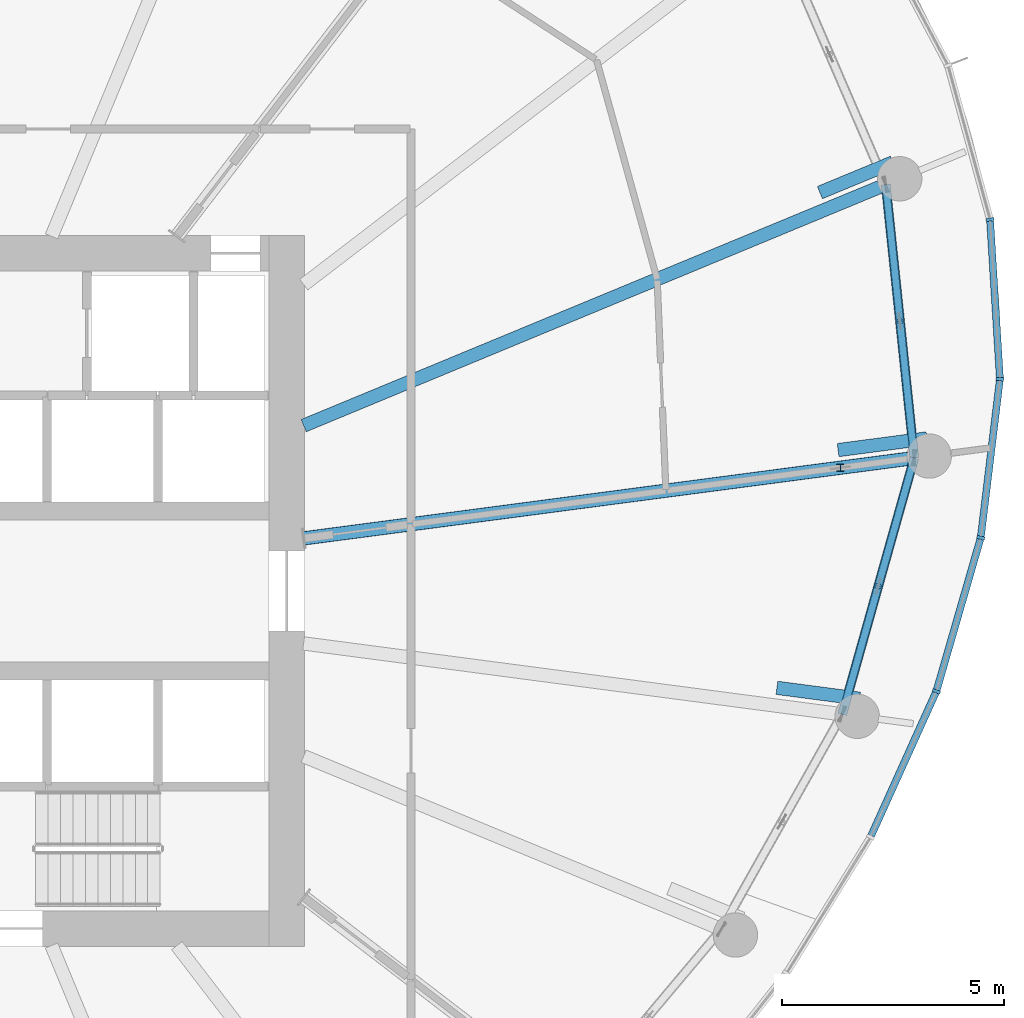
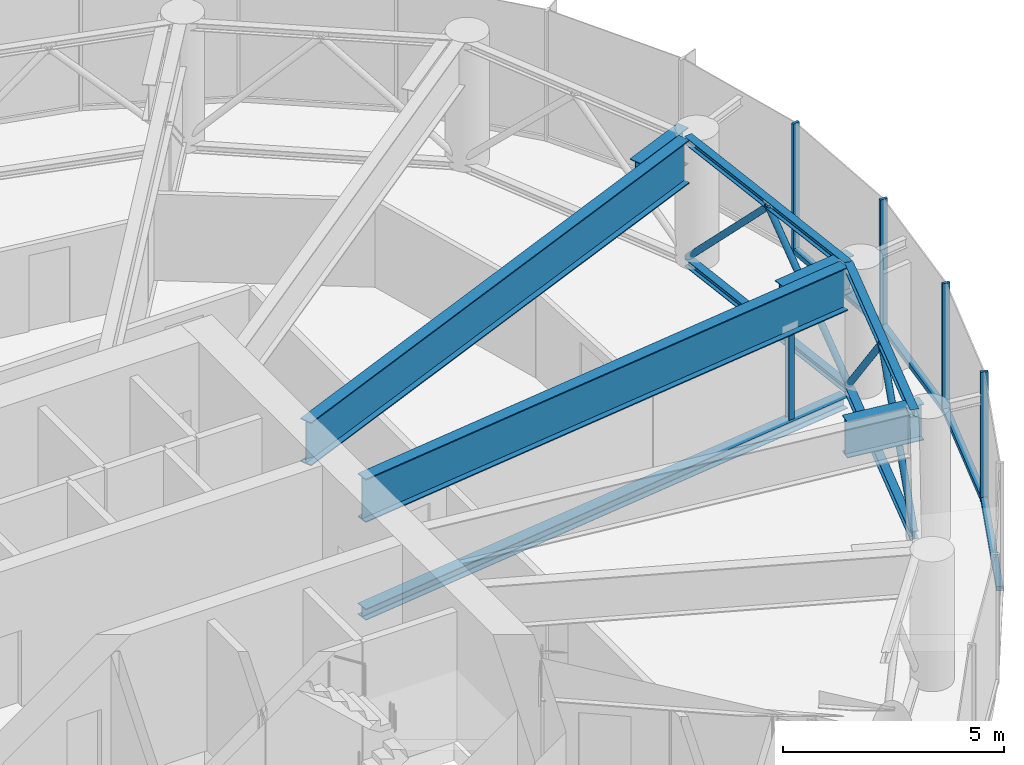
# One storey, part 7 of 25: 18 members, 5 beams, 2 elements without a shape of their own.
"""IFC4 building model written with IfcOpenShell, lengths in metres."""

from ifc_helpers import new_model, si_unit, direction, frame, origin, origin_2d, place, context, subcontext, project, spatial, rectangle, hollow_circle, i_section, extrude, source, transform, mapped, material, layer, layer_set, material_profile, profile_set, type_object, element, aggregate, save


model = new_model("IFC4")

# Units and contexts
model_context = context("Model", 3, precision=1e-05, world=origin(), true_north=direction((0.0, 1.0)))
body_context = subcontext(model_context, "Body", "Model", "MODEL_VIEW")
ifc_project = project(units=[si_unit("LENGTHUNIT", "METRE"), si_unit("AREAUNIT", "SQUARE_METRE"), si_unit("VOLUMEUNIT", "CUBIC_METRE"), si_unit("PLANEANGLEUNIT", "RADIAN"), si_unit("MASSUNIT", "GRAM", prefix="KILO")], contexts=[model_context])

# Site, building, storey
site_placement = place(None, origin())
site = spatial("IfcSite", under=ifc_project, at=site_placement, CompositionType="ELEMENT")
building_placement = place(site_placement, origin())
building = spatial("IfcBuilding", under=site, at=building_placement, Name="Spindrift Exchange Tower", CompositionType="ELEMENT")
storey_placement = place(building_placement, frame((0.0, 0.0, 179.89990234375)))
storey = spatial("IfcBuildingStorey", under=building, at=storey_placement, Name="L43", CompositionType="ELEMENT", Elevation=179.89990234375)

# Beams
ifc_material_1 = material(Name="Steel Grade 300", Category="steel")
ifc_material_profile_1 = material_profile(ifc_material_1, i_section(OverallWidth=0.300048828125, OverallDepth=1.199951171875, WebThickness=0.011962890625, FlangeThickness=0.028076171875, at=origin_2d()), Name="1200WB249")
ifc_profile_set_1 = profile_set([ifc_material_profile_1], Name="Steel Grade 300")
beam_type_1 = type_object("IfcBeamType", Name="Transfer Girder 1200WB249 Steel Grade 300", PredefinedType="BEAM", material=ifc_profile_set_1)
shared_shape_1 = source(origin(), body_context, "Body", "SweptSolid", [
    extrude(i_section(OverallWidth=0.300048828125, OverallDepth=1.199951171875, WebThickness=0.011962890625, FlangeThickness=0.028076171875, at=origin_2d()), origin(), (0.0, 0.0, 1.0), 14.04052734375),
])
beam_1_placement = place(storey_placement, frame((60.9814453125, 51.72021484375, 2.97998046875), z_axis=(0.923879501748, 0.382683506634, 0.0), x_axis=(-0.382683506634, 0.923879501748, 0.0)))
element("IfcBeam", 1, at=beam_1_placement, inside=storey, type_object=beam_type_1, Name="L43 radial beam R02A", PredefinedType="BEAM", context=body_context, shape_type="MappedRepresentation", body=[
    mapped(shared_shape_1, transform((0.0, 0.0, 0.0), scale=1.0)),
])
ifc_material_profile_2 = material_profile(ifc_material_1, i_section(OverallWidth=0.300048828125, OverallDepth=1.199951171875, WebThickness=0.011962890625, FlangeThickness=0.028076171875, at=origin_2d()), Name="1200WB249")
ifc_profile_set_2 = profile_set([ifc_material_profile_2], Name="Steel Grade 300")
beam_type_2 = type_object("IfcBeamType", Name="Outrigger Truss Transfer Girder 1200WB249 Steel Grade 300", PredefinedType="BEAM", material=ifc_profile_set_2)
shared_shape_2 = source(origin(), body_context, "Body", "SweptSolid", [
    extrude(i_section(OverallWidth=0.300048828125, OverallDepth=1.199951171875, WebThickness=0.011962890625, FlangeThickness=0.028076171875, at=origin_2d()), origin(), (0.0, 0.0, 1.0), 13.723388671875),
])
beam_2_placement = place(storey_placement, frame((60.980224609375, 49.182373046875, 2.97998046875), z_axis=(0.991447148915, 0.13050881544, 0.0), x_axis=(-0.13050881544, 0.991447148915, 0.0)))
element("IfcBeam", 2, at=beam_2_placement, inside=storey, type_object=beam_type_2, Name="L43 outrigger truss 01 top chord 1", PredefinedType="BEAM", context=body_context, shape_type="MappedRepresentation", body=[
    mapped(shared_shape_2, transform((0.0, 0.0, 0.0), scale=1.0)),
])

# Members
ifc_material_profile_3 = material_profile(ifc_material_1, i_section(OverallWidth=0.306884765625, OverallDepth=0.31396484375, WebThickness=0.011962890625, FlangeThickness=0.018798828125, FilletRadius=0.0166015625, at=origin_2d()), Name="310UC118")
ifc_profile_set_3 = profile_set([ifc_material_profile_3], Name="Steel Grade 300")
member_type_1 = type_object("IfcMemberType", Name="Outrigger Truss Chord 310UC118 Steel Grade 300", PredefinedType="CHORD", material=ifc_profile_set_3)
shared_shape_3 = source(origin(), body_context, "Body", "SweptSolid", [
    extrude(i_section(OverallWidth=0.306884765625, OverallDepth=0.31396484375, WebThickness=0.011962890625, FlangeThickness=0.018798828125, FilletRadius=0.0166015625, at=origin_2d()), origin(), (0.0, 0.0, 1.0), 13.723388671875),
])
member_1_placement = place(storey_placement, frame((60.980224609375, 49.182373046875, -0.156982421875), z_axis=(0.991447148915, 0.13050881544, 0.0), x_axis=(-0.13050881544, 0.991447148915, 0.0)))
element("IfcMember", 3, at=member_1_placement, inside=storey, type_object=member_type_1, Name="L43 outrigger truss 01 bottom chord 1", PredefinedType="CHORD", context=body_context, shape_type="MappedRepresentation", body=[
    mapped(shared_shape_3, transform((0.0, 0.0, 0.0), scale=1.0)),
])
ifc_material_profile_4 = material_profile(ifc_material_1, i_section(OverallWidth=0.154052734375, OverallDepth=0.162109375, WebThickness=0.008056640625, FlangeThickness=0.011474609375, FilletRadius=0.008056640625, at=origin_2d()), Name="150UC37.2")
ifc_profile_set_4 = profile_set([ifc_material_profile_4], Name="Steel Grade 300")
member_type_2 = type_object("IfcMemberType", Name="Outrigger Truss Post 150UC37.2 Steel Grade 300", PredefinedType="POST", material=ifc_profile_set_4)
shared_shape_4 = source(origin(), body_context, "Body", "SweptSolid", [
    extrude(i_section(OverallWidth=0.154052734375, OverallDepth=0.162109375, WebThickness=0.008056640625, FlangeThickness=0.011474609375, FilletRadius=0.008056640625, at=origin_2d()), origin(), (0.0, 0.0, 1.0), 2.380126953125),
])
member_2_placement = place(storey_placement, frame((73.062255859375, 50.77294921875, 0.0), z_axis=(0.0, 0.0, 1.0), x_axis=(1.0, 0.0, 0.0)))
element("IfcMember", 4, at=member_2_placement, inside=storey, type_object=member_type_2, Name="L43 outrigger truss 01 post 1", PredefinedType="POST", context=body_context, shape_type="MappedRepresentation", body=[
    mapped(shared_shape_4, transform((0.0, 0.0, 0.0), scale=1.0)),
])
ifc_material_profile_5 = material_profile(ifc_material_1, i_section(OverallWidth=0.205078125, OverallDepth=0.2099609375, WebThickness=0.00927734375, FlangeThickness=0.01416015625, FilletRadius=0.012939453125, at=origin_2d()), Name="200UC59.5")
ifc_profile_set_5 = profile_set([ifc_material_profile_5], Name="Steel Grade 300")
member_type_3 = type_object("IfcMemberType", Name="Belt Truss Chord 200UC59.5 Steel Grade 300", PredefinedType="CHORD", material=ifc_profile_set_5)
shared_shape_5 = source(origin(), body_context, "Body", "SweptSolid", [
    extrude(i_section(OverallWidth=0.205078125, OverallDepth=0.2099609375, WebThickness=0.00927734375, FlangeThickness=0.01416015625, FilletRadius=0.012939453125, at=origin_2d()), origin(), (0.0, 0.0, 1.0), 6.188720703125),
])
for number, where, z_axis, x_axis, name in (
    (5, (74.724853515625, 50.99169921875, 3.47509765625), (-0.103791455833, 0.99459908189, 0.0), (-0.99459908189, -0.103791455833, 0.0), "L43 belt truss 01 top chord"),
    (6, (74.724853515625, 50.99169921875, 0.10498046875), (-0.103791455833, 0.99459908189, 0.0), (-0.99459908189, -0.103791455833, 0.0), "L43 belt truss 01 bottom chord"),
):
    element("IfcMember", number, at=place(storey_placement, frame(where, z_axis=z_axis, x_axis=x_axis)), inside=storey, type_object=member_type_3, Name=name, PredefinedType="CHORD", context=body_context, shape_type="MappedRepresentation", body=[
        mapped(shared_shape_5, transform((0.0, 0.0, 0.0), scale=1.0)),
    ])
ifc_material_2 = material(Name="Steel Grade 350", Category="steel")
ifc_material_profile_6 = material_profile(ifc_material_2, hollow_circle(Radius=0.084228515625, WallThickness=0.007080078125, at=origin_2d()), Name="168.3x7.1CHS")
ifc_profile_set_6 = profile_set([ifc_material_profile_6], Name="Steel Grade 350")
member_type_4 = type_object("IfcMemberType", Name="Belt Truss Diagonal 168.3x7.1CHS Steel Grade 350", PredefinedType="BRACE", material=ifc_profile_set_6)
shared_shape_6 = source(origin(), body_context, "Body", "SweptSolid", [
    extrude(hollow_circle(Radius=0.084228515625, WallThickness=0.007080078125, at=origin_2d()), origin(), (0.0, 0.0, 1.0), 4.422607421875),
])
for number, where, z_axis, x_axis, name in (
    (7, (74.724853515625, 50.99169921875, 0.210205078125), (-0.072590836294, 0.6958783896, 0.714481516468), (-0.994603153541, -0.103752431136, 0.0), "L43 belt truss 01 diagonal 1"),
    (8, (74.40380859375, 54.0693359375, 3.3701171875), (-0.072645747237, 0.695875600053, -0.714478652347), (-0.994595008741, -0.103830480049, 0.0), "L43 belt truss 01 diagonal 2"),
):
    element("IfcMember", number, at=place(storey_placement, frame(where, z_axis=z_axis, x_axis=x_axis)), inside=storey, type_object=member_type_4, Name=name, PredefinedType="BRACE", context=body_context, shape_type="MappedRepresentation", body=[
        mapped(shared_shape_6, transform((0.0, 0.0, 0.0), scale=1.0)),
    ])
shared_shape_7 = source(origin(), body_context, "Body", "SweptSolid", [
    extrude(i_section(OverallWidth=0.205078125, OverallDepth=0.2099609375, WebThickness=0.00927734375, FlangeThickness=0.01416015625, FilletRadius=0.012939453125, at=origin_2d()), origin(), (0.0, 0.0, 1.0), 5.993408203125),
])
for number, where, z_axis, x_axis, name in (
    (9, (73.10400390625, 45.2216796875, 3.47509765625), (0.270441210372, 0.962736491327, 0.0), (-0.962736491327, 0.270441210372, 0.0), "L43 belt truss 24 top chord"),
    (10, (73.10400390625, 45.2216796875, 0.10498046875), (0.270441210372, 0.962736491327, 0.0), (-0.962736491327, 0.270441210372, 0.0), "L43 belt truss 24 bottom chord"),
):
    element("IfcMember", number, at=place(storey_placement, frame(where, z_axis=z_axis, x_axis=x_axis)), inside=storey, type_object=member_type_3, Name=name, PredefinedType="CHORD", context=body_context, shape_type="MappedRepresentation", body=[
        mapped(shared_shape_7, transform((0.0, 0.0, 0.0), scale=1.0)),
    ])
shared_shape_8 = source(origin(), body_context, "Body", "SweptSolid", [
    extrude(hollow_circle(Radius=0.084228515625, WallThickness=0.007080078125, at=origin_2d()), origin(), (0.0, 0.0, 1.0), 4.35498046875),
])
for number, where, z_axis, x_axis, name in (
    (11, (73.10400390625, 45.2216796875, 0.210205078125), (0.186068063629, 0.662478550137, 0.725603780521), (-0.962747096676, 0.270403453827, 0.0), "L43 belt truss 24 diagonal 1"),
    (12, (73.914306640625, 48.106689453125, 3.3701171875), (0.186122183343, 0.662471638723, -0.725596210544), (-0.962725884731, 0.270478965669, 0.0), "L43 belt truss 24 diagonal 2"),
):
    element("IfcMember", number, at=place(storey_placement, frame(where, z_axis=z_axis, x_axis=x_axis)), inside=storey, type_object=member_type_4, Name=name, PredefinedType="BRACE", context=body_context, shape_type="MappedRepresentation", body=[
        mapped(shared_shape_8, transform((0.0, 0.0, 0.0), scale=1.0)),
    ])

# Beams
ifc_material_profile_7 = material_profile(ifc_material_1, i_section(OverallWidth=0.300048828125, OverallDepth=1.0, WebThickness=0.010009765625, FlangeThickness=0.02001953125, at=origin_2d()), Name="1000WB215")
ifc_profile_set_7 = profile_set([ifc_material_profile_7], Name="Steel Grade 300")
beam_type_3 = type_object("IfcBeamType", Name="Transfer Tie Beam 1000WB215 Steel Grade 300", PredefinedType="BEAM", material=ifc_profile_set_7)
shared_shape_9 = source(origin(), body_context, "Body", "SweptSolid", [
    extrude(i_section(OverallWidth=0.300048828125, OverallDepth=1.0, WebThickness=0.010009765625, FlangeThickness=0.02001953125, at=origin_2d()), origin(), (0.0, 0.0, 1.0), 2.01708984375),
])
beam_3_placement = place(storey_placement, frame((75.009765625, 51.432861328125, 2.97998046875), z_axis=(-0.99143492159, -0.130601670174, 0.0), x_axis=(0.130601670174, -0.99143492159, 0.0)))
element("IfcBeam", 13, at=beam_3_placement, inside=storey, type_object=beam_type_3, Name="L43 transfer tie beam K01", PredefinedType="BEAM", context=body_context, shape_type="MappedRepresentation", body=[
    mapped(shared_shape_9, transform((0.0, 0.0, 0.0), scale=1.0)),
])
shared_shape_10 = source(origin(), body_context, "Body", "SweptSolid", [
    extrude(i_section(OverallWidth=0.300048828125, OverallDepth=1.0, WebThickness=0.010009765625, FlangeThickness=0.02001953125, at=origin_2d()), origin(), (0.0, 0.0, 1.0), 1.77880859375),
])
beam_4_placement = place(storey_placement, frame((74.24365234375, 57.646484375, 2.97998046875), z_axis=(-0.923903097912, -0.382626535499, 0.0), x_axis=(0.382626535499, -0.923903097912, 0.0)))
element("IfcBeam", 14, at=beam_4_placement, inside=storey, type_object=beam_type_3, Name="L43 transfer tie beam K02", PredefinedType="BEAM", context=body_context, shape_type="MappedRepresentation", body=[
    mapped(shared_shape_10, transform((0.0, 0.0, 0.0), scale=1.0)),
])
shared_shape_11 = source(origin(), body_context, "Body", "SweptSolid", [
    extrude(i_section(OverallWidth=0.300048828125, OverallDepth=1.0, WebThickness=0.010009765625, FlangeThickness=0.02001953125, at=origin_2d()), origin(), (0.0, 0.0, 1.0), 1.8759765625),
])
beam_5_placement = place(storey_placement, frame((73.4931640625, 45.57373046875, 2.97998046875), z_axis=(-0.991443660947, 0.130535310046, 0.0), x_axis=(-0.130535310046, -0.991443660947, 0.0)))
element("IfcBeam", 15, at=beam_5_placement, inside=storey, type_object=beam_type_3, Name="L43 transfer tie beam K24", PredefinedType="BEAM", context=body_context, shape_type="MappedRepresentation", body=[
    mapped(shared_shape_11, transform((0.0, 0.0, 0.0), scale=1.0)),
])

# Curtain wall, members
ifc_material_3 = material(Name="Fritted laminated glass with bronze frame", Category="glass")
ifc_layer = layer(ifc_material_3, 0.179931640625)
ifc_layer_set = layer_set([ifc_layer], Name="ZONE 3 BRONZE FRITTED WALL")
curtain_wall_type = type_object("IfcCurtainWallType", Name="ZONE 3 BRONZE FRITTED WALL", PredefinedType="NOTDEFINED", material=ifc_layer_set)
curtain_wall_1_placement = place(storey_placement, origin())
curtain_wall_1 = element("IfcCurtainWall", 16, at=curtain_wall_1_placement, inside=storey, type_object=curtain_wall_type, Name="L43 Zone 3 Bronze Fritted Wall run 7", PredefinedType="NOTDEFINED")
ifc_material_4 = material(Name="Bronze anodised aluminium", Category="aluminium")
ifc_material_profile_8 = material_profile(ifc_material_4, rectangle(XDim=0.070068359375, YDim=0.179931640625, at=origin_2d()), Name="ZONE 3 BRONZE FRITTED WALL MULLION 70X180")
ifc_profile_set_8 = profile_set([ifc_material_profile_8], Name="Bronze anodised aluminium")
member_type_5 = type_object("IfcMemberType", Name="ZONE 3 BRONZE FRITTED WALL MULLION 70X180", PredefinedType="MULLION", material=ifc_profile_set_8)
shared_shape_12 = source(origin(), body_context, "Body", "SweptSolid", [
    extrude(rectangle(XDim=0.070068359375, YDim=0.179931640625, at=origin_2d()), origin(), (0.0, 0.0, 1.0), 3.580078125),
])
member_3_placement = place(storey_placement, frame((75.22216796875, 45.739501953125, 0.0), z_axis=(0.0, 0.0, 1.0), x_axis=(0.345465378285, 0.938431495852, 0.0)))
member_3 = element("IfcMember", 17, at=member_3_placement, type_object=member_type_5, Name="L43 mullion CW-3.37", PredefinedType="MULLION", context=body_context, shape_type="MappedRepresentation", body=[
    mapped(shared_shape_12, transform((0.0, 0.0, 0.0), scale=1.0)),
])
member_4_placement = place(storey_placement, frame((76.22119140625, 49.197265625, 0.0), z_axis=(0.0, 0.0, 1.0), x_axis=(0.199486800484, 0.979900513538, 0.0)))
member_4 = element("IfcMember", 18, at=member_4_placement, type_object=member_type_5, Name="L43 mullion CW-3.38", PredefinedType="MULLION", context=body_context, shape_type="MappedRepresentation", body=[
    mapped(shared_shape_12, transform((0.0, 0.0, 0.0), scale=1.0)),
])
member_5_placement = place(storey_placement, frame((76.6533203125, 52.769287109375, 0.0), z_axis=(0.0, 0.0, 1.0), x_axis=(0.029195144318, 0.999573730921, 0.0)))
member_5 = element("IfcMember", 19, at=member_5_placement, type_object=member_type_5, Name="L43 mullion CW-3.39", PredefinedType="MULLION", context=body_context, shape_type="MappedRepresentation", body=[
    mapped(shared_shape_12, transform((0.0, 0.0, 0.0), scale=1.0)),
])
member_6_placement = place(storey_placement, frame((76.4306640625, 56.359375, 0.0), z_axis=(0.0, 0.0, 1.0), x_axis=(-0.163438932004, 0.986553452939, 0.0)))
member_6 = element("IfcMember", 20, at=member_6_placement, type_object=member_type_5, Name="L43 mullion CW-3.40", PredefinedType="MULLION", context=body_context, shape_type="MappedRepresentation", body=[
    mapped(shared_shape_12, transform((0.0, 0.0, 0.0), scale=1.0)),
])
ifc_material_profile_9 = material_profile(ifc_material_4, rectangle(XDim=0.159912109375, YDim=0.1298828125, at=origin_2d()), Name="ZONE 3 BRONZE FRITTED WALL TRANSOM 160X130")
ifc_profile_set_9 = profile_set([ifc_material_profile_9], Name="Bronze anodised aluminium")
member_type_6 = type_object("IfcMemberType", Name="ZONE 3 BRONZE FRITTED WALL TRANSOM 160X130", PredefinedType="USERDEFINED", material=ifc_profile_set_9)
shared_shape_13 = source(origin(), body_context, "Body", "SweptSolid", [
    extrude(rectangle(XDim=0.159912109375, YDim=0.1298828125, at=origin_2d()), origin(), (0.0, 0.0, 1.0), 3.5283203125),
])
member_7_placement = place(storey_placement, frame((76.2255859375, 49.23193359375, 0.065185546875), z_axis=(0.120056516818, 0.992767058665, 0.0), x_axis=(-0.992767058665, 0.120056516818, 0.0)))
member_7 = element("IfcMember", 21, at=member_7_placement, type_object=member_type_6, Name="L43 transom CW-3.38", ObjectType="TRANSOM", PredefinedType="USERDEFINED", context=body_context, shape_type="MappedRepresentation", body=[
    mapped(shared_shape_13, transform((0.0, 0.0, 0.0), scale=1.0)),
])

# Curtain wall, member
curtain_wall_2_placement = place(storey_placement, origin())
curtain_wall_2 = element("IfcCurtainWall", 22, at=curtain_wall_2_placement, inside=storey, type_object=curtain_wall_type, Name="L43 Zone 3 Bronze Fritted Wall run 6", PredefinedType="NOTDEFINED")
shared_shape_14 = source(origin(), body_context, "Body", "SweptSolid", [
    extrude(rectangle(XDim=0.159912109375, YDim=0.1298828125, at=origin_2d()), origin(), (0.0, 0.0, 1.0), 3.52978515625),
])
member_8_placement = place(storey_placement, frame((73.755126953125, 42.49072265625, 0.065185546875), z_axis=(0.411534832676, 0.911394031961, 0.0), x_axis=(-0.911394031961, 0.411534832676, 0.0)))
member_8 = element("IfcMember", 23, at=member_8_placement, type_object=member_type_6, Name="L43 transom CW-3.36", ObjectType="TRANSOM", PredefinedType="USERDEFINED", context=body_context, shape_type="MappedRepresentation", body=[
    mapped(shared_shape_14, transform((0.0, 0.0, 0.0), scale=1.0)),
])
aggregate(curtain_wall_2, [member_8])

# Member
shared_shape_15 = source(origin(), body_context, "Body", "SweptSolid", [
    extrude(rectangle(XDim=0.159912109375, YDim=0.1298828125, at=origin_2d()), origin(), (0.0, 0.0, 1.0), 3.529052734375),
])
member_9_placement = place(storey_placement, frame((75.23193359375, 45.773193359375, 0.065185546875), z_axis=(0.277616272514, 0.960692044953, 0.0), x_axis=(-0.960692044953, 0.277616272514, 0.0)))
member_9 = element("IfcMember", 24, at=member_9_placement, type_object=member_type_6, Name="L43 transom CW-3.37", ObjectType="TRANSOM", PredefinedType="USERDEFINED", context=body_context, shape_type="MappedRepresentation", body=[
    mapped(shared_shape_15, transform((0.0, 0.0, 0.0), scale=1.0)),
])

shared_shape_16 = source(origin(), body_context, "Body", "SweptSolid", [
    extrude(rectangle(XDim=0.159912109375, YDim=0.1298828125, at=origin_2d()), origin(), (0.0, 0.0, 1.0), 3.52685546875),
])
member_10_placement = place(storey_placement, frame((76.651123046875, 52.804443359375, 0.065185546875), z_axis=(-0.061886971068, 0.998083164276, 0.0), x_axis=(-0.998083164276, -0.061886971068, 0.0)))
member_10 = element("IfcMember", 25, at=member_10_placement, type_object=member_type_6, Name="L43 transom CW-3.39", ObjectType="TRANSOM", PredefinedType="USERDEFINED", context=body_context, shape_type="MappedRepresentation", body=[
    mapped(shared_shape_16, transform((0.0, 0.0, 0.0), scale=1.0)),
])

aggregate(curtain_wall_1, [member_3, member_9, member_4, member_7, member_5, member_10, member_6])

save(model, "model.ifc")
